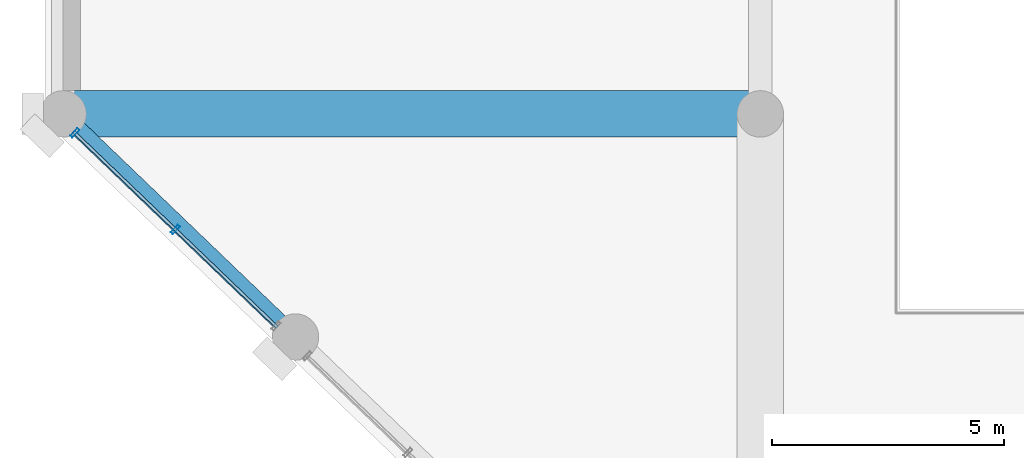
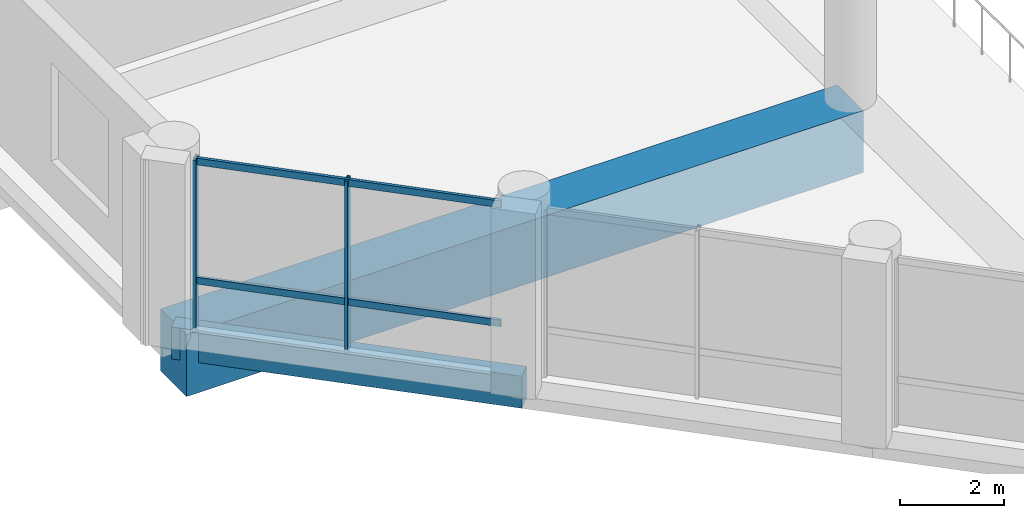
# One storey, part 7 of 64: 4 members, 2 beams, 1 element without a shape of its own.
"""IFC4 building model written with IfcOpenShell, lengths in metres."""

from ifc_helpers import new_model, si_unit, direction, frame, origin, origin_2d, place, context, subcontext, project, spatial, rectangle, hollow_rectangle, extrude, material, material_profile, profile_set, type_object, element, aggregate, save


model = new_model("IFC4")

# Units and contexts
model_context = context("Model", 3, precision=1e-05, world=origin(), true_north=direction((0.0, 1.0)))
body_context = subcontext(model_context, "Body", "Model", "MODEL_VIEW")
ifc_project = project(units=[si_unit("LENGTHUNIT", "METRE"), si_unit("AREAUNIT", "SQUARE_METRE"), si_unit("VOLUMEUNIT", "CUBIC_METRE"), si_unit("PLANEANGLEUNIT", "RADIAN"), si_unit("MASSUNIT", "GRAM", prefix="KILO")], contexts=[model_context])

# Site, building, storey
site_placement = place(None, origin())
site = spatial("IfcSite", under=ifc_project, at=site_placement, CompositionType="ELEMENT")
building_placement = place(site_placement, origin())
building = spatial("IfcBuilding", under=site, at=building_placement, Name="Akrevak Sports Hall", CompositionType="ELEMENT")
storey_placement = place(building_placement, frame((0.0, 0.0, 4.60009765625)))
storey = spatial("IfcBuildingStorey", under=building, at=storey_placement, Name="L01", CompositionType="ELEMENT", Elevation=4.60009765625)

# Curtain wall, members
ifc_material_1 = material(Name="Anodized Bronze Aluminium & Low-E Glass", Category="aluminium")
curtain_wall_type = type_object("IfcCurtainWallType", Name="ARC-CW-POD-64x44", PredefinedType="NOTDEFINED", material=ifc_material_1)
curtain_wall_placement = place(storey_placement, origin())
curtain_wall = element("IfcCurtainWall", 1, at=curtain_wall_placement, inside=storey, type_object=curtain_wall_type, Name="Curtain Wall CW-L01-CH3", PredefinedType="NOTDEFINED")
ifc_material_2 = material(Name="Anodized Bronze Aluminium", Category="aluminium")
ifc_material_profile_1 = material_profile(ifc_material_2, hollow_rectangle(XDim=0.06494140625, YDim=0.219970703125, WallThickness=0.00439453125, at=origin_2d()), Name="CWM 65x220", Category="aluminium")
ifc_profile_set_1 = profile_set([ifc_material_profile_1], Name="Anodized Bronze Aluminium")
member_type_1 = type_object("IfcMemberType", Name="ARC-CWM-70x160", PredefinedType="MULLION", material=ifc_profile_set_1)
member_1_placement = place(storey_placement, frame((2.4169921875, 11.91357421875, 0.0), z_axis=(0.0, 0.0, 1.0), x_axis=(-0.721385636978, 0.692533582407, 0.0)))
member_1 = element("IfcMember", 2, at=member_1_placement, type_object=member_type_1, Name="Curtain Wall Mullion CW-L01-CH3-M2", PredefinedType="MULLION", context=body_context, shape_type="SweptSolid", body=[
    extrude(hollow_rectangle(XDim=0.06494140625, YDim=0.219970703125, WallThickness=0.00439453125, at=origin_2d()), origin(), (0.0, 0.0, 1.0), 4.02001953125),
])
member_2_placement = place(storey_placement, frame((0.25244140625, 13.991455078125, 0.0), z_axis=(0.0, 0.0, 1.0), x_axis=(-0.721385636978, 0.692533582407, 0.0)))
member_2 = element("IfcMember", 3, at=member_2_placement, type_object=member_type_1, Name="Curtain Wall Mullion CW-L01-CH3-M3", PredefinedType="MULLION", context=body_context, shape_type="SweptSolid", body=[
    extrude(hollow_rectangle(XDim=0.06494140625, YDim=0.219970703125, WallThickness=0.00439453125, at=origin_2d()), origin(), (0.0, 0.0, 1.0), 4.02001953125),
])
ifc_material_profile_2 = material_profile(ifc_material_2, hollow_rectangle(XDim=0.06494140625, YDim=0.159912109375, WallThickness=0.00390625, at=origin_2d()), Name="CWT 65x160", Category="aluminium")
ifc_profile_set_2 = profile_set([ifc_material_profile_2], Name="Anodized Bronze Aluminium")
member_type_2 = type_object("IfcMemberType", Name="ARC-CWT-70x130", PredefinedType="USERDEFINED", material=ifc_profile_set_2)
member_3_placement = place(storey_placement, frame((4.6103515625, 9.807861328125, 1.14990234375), z_axis=(-0.721412191351, 0.692505920675, 0.0), x_axis=(-0.692505920675, -0.721412191351, 0.0)))
member_3 = element("IfcMember", 4, at=member_3_placement, type_object=member_type_2, Name="Curtain Wall Transom CW-L01-CH3-T1", ObjectType="TRANSOM", PredefinedType="USERDEFINED", context=body_context, shape_type="SweptSolid", body=[
    extrude(hollow_rectangle(XDim=0.06494140625, YDim=0.159912109375, WallThickness=0.00390625, at=origin_2d()), origin(), (0.0, 0.0, 1.0), 6.0810546875),
])
member_4_placement = place(storey_placement, frame((4.6103515625, 9.807861328125, 3.93994140625), z_axis=(-0.721412191351, 0.692505920675, 0.0), x_axis=(-0.692505920675, -0.721412191351, 0.0)))
member_4 = element("IfcMember", 5, at=member_4_placement, type_object=member_type_2, Name="Curtain Wall Transom CW-L01-CH3-T2", ObjectType="TRANSOM", PredefinedType="USERDEFINED", context=body_context, shape_type="SweptSolid", body=[
    extrude(hollow_rectangle(XDim=0.06494140625, YDim=0.159912109375, WallThickness=0.00390625, at=origin_2d()), origin(), (0.0, 0.0, 1.0), 6.0810546875),
])
aggregate(curtain_wall, [member_1, member_2, member_3, member_4])

# Beams
ifc_material_3 = material(Name="Concrete C50/60", Category="concrete")
ifc_material_profile_3 = material_profile(ifc_material_3, rectangle(XDim=1.0, YDim=1.449951171875, at=origin_2d()), Name="BM 1000x1450", Category="concrete")
ifc_profile_set_3 = profile_set([ifc_material_profile_3], Name="Concrete C50/60")
beam_type_1 = type_object("IfcBeamType", Name="STR-BM-LG1000x1450", PredefinedType="BEAM", material=ifc_profile_set_3)
beam_1_placement = place(storey_placement, frame((0.0, 14.39990234375, -0.72509765625), z_axis=(1.0, 0.0, 0.0), x_axis=(0.0, 1.0, 0.0)))
element("IfcBeam", 6, at=beam_1_placement, inside=storey, type_object=beam_type_1, Name="Girder C/1-3 (L01)", PredefinedType="BEAM", context=body_context, shape_type="SweptSolid", body=[
    extrude(rectangle(XDim=1.0, YDim=1.449951171875, at=origin_2d()), origin(), (0.0, 0.0, 1.0), 15.0),
])
ifc_material_4 = material(Name="Concrete C40/50", Category="concrete")
ifc_material_profile_4 = material_profile(ifc_material_4, rectangle(XDim=0.35009765625, YDim=0.75, at=origin_2d()), Name="SPD 350x750", Category="concrete")
ifc_profile_set_4 = profile_set([ifc_material_profile_4], Name="Concrete C40/50")
beam_type_2 = type_object("IfcBeamType", Name="STR-SPD-RC350x750", PredefinedType="SPANDREL", material=ifc_profile_set_4)
beam_2_placement = place(storey_placement, frame((5.0, 9.60009765625, -0.375), z_axis=(-0.721401399021, 0.692517163318, 0.0), x_axis=(-0.692517163318, -0.721401399021, 0.0)))
element("IfcBeam", 7, at=beam_2_placement, inside=storey, type_object=beam_type_2, Name="Chamfer Colonnade Spandrel Girder 3 (L01)", PredefinedType="SPANDREL", context=body_context, shape_type="SweptSolid", body=[
    extrude(rectangle(XDim=0.35009765625, YDim=0.75, at=origin_2d()), origin(), (0.0, 0.0, 1.0), 6.930908203125),
])

save(model, "model.ifc")
